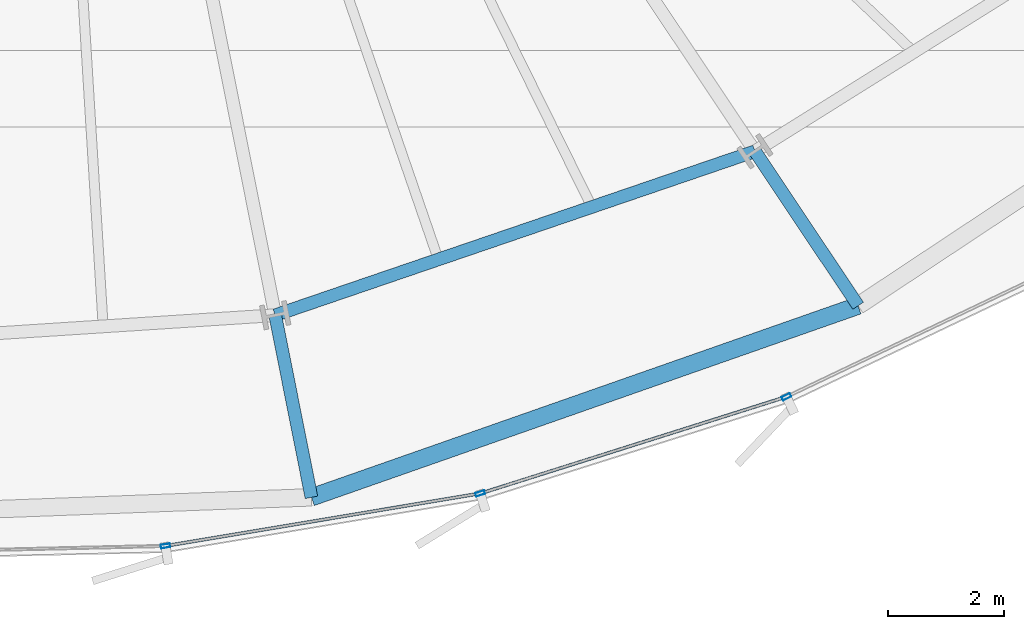
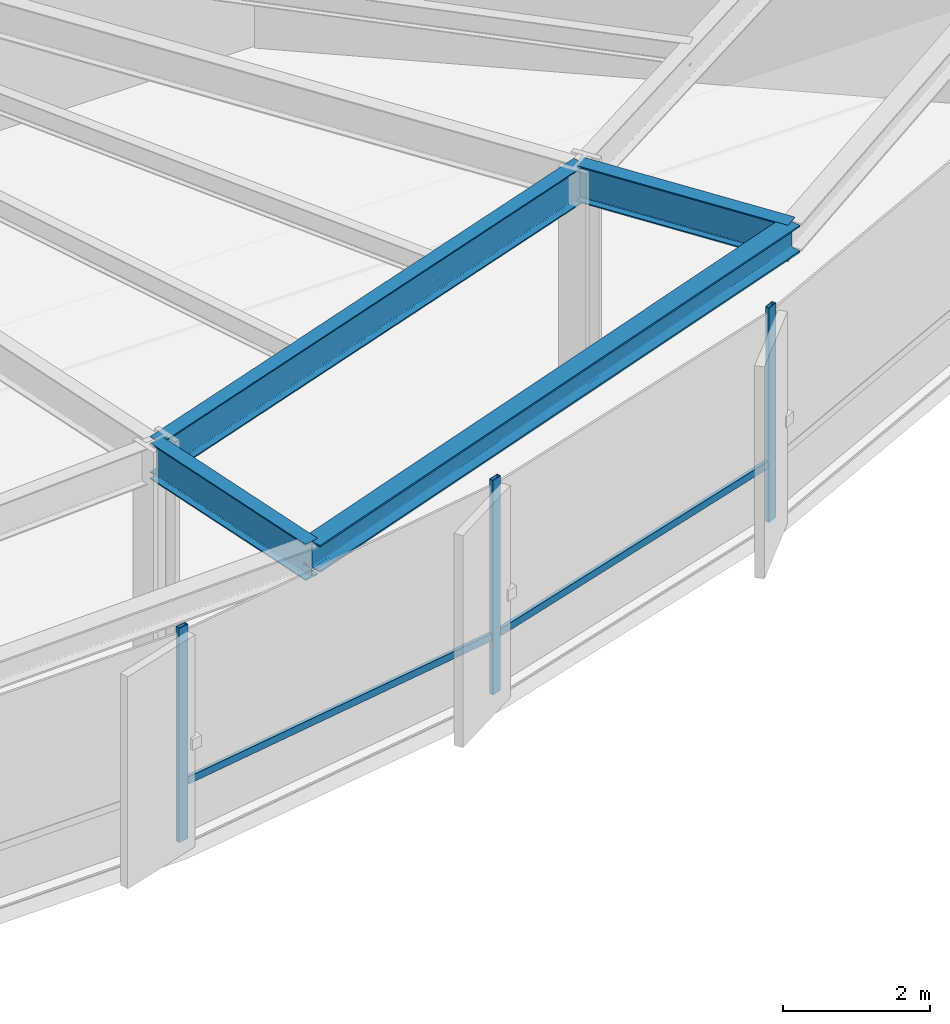
# One storey, part 11 of 38: 5 members, 4 beams, 1 element without a shape of its own.
"""IFC4 building model written with IfcOpenShell, lengths in metres."""

from ifc_helpers import new_model, si_unit, direction, frame, origin, origin_2d, place, context, subcontext, project, spatial, hollow_rectangle, i_section, extrude, source, transform, mapped, material, layer, layer_set, material_profile, profile_set, type_object, element, aggregate, save


model = new_model("IFC4")

# Units and contexts
model_context = context("Model", 3, precision=1e-05, world=origin(), true_north=direction((0.0, 1.0)))
body_context = subcontext(model_context, "Body", "Model", "MODEL_VIEW")
ifc_project = project(units=[si_unit("LENGTHUNIT", "METRE"), si_unit("AREAUNIT", "SQUARE_METRE"), si_unit("VOLUMEUNIT", "CUBIC_METRE"), si_unit("PLANEANGLEUNIT", "RADIAN"), si_unit("MASSUNIT", "GRAM", prefix="KILO"), si_unit("THERMODYNAMICTEMPERATUREUNIT", "KELVIN")], contexts=[model_context])

# Site, building, storey
site_placement = place(None, origin())
site = spatial("IfcSite", under=ifc_project, at=site_placement, CompositionType="ELEMENT")
building_placement = place(site_placement, origin())
building = spatial("IfcBuilding", under=site, at=building_placement, Name="Kethvar Cultural Tower", CompositionType="ELEMENT")
storey_placement = place(building_placement, frame((0.0, 0.0, 52.39990234375)))
storey = spatial("IfcBuildingStorey", under=building, at=storey_placement, Name="L12", CompositionType="ELEMENT", Elevation=52.39990234375)

# Beams
ifc_material_1 = material(Name="Steel S355J2", Category="steel")
ifc_material_profile_1 = material_profile(ifc_material_1, i_section(OverallWidth=0.219970703125, OverallDepth=0.60009765625, WebThickness=0.011962890625, FlangeThickness=0.01904296875, FilletRadius=0.02392578125, at=origin_2d()), Name="Steel S355J2 — IPE600")
ifc_profile_set_1 = profile_set([ifc_material_profile_1], Name="Steel S355J2 — IPE600")
beam_type_1 = type_object("IfcBeamType", Name="BM-IPE600", PredefinedType="BEAM", material=ifc_profile_set_1)
shared_shape_1 = source(origin(), body_context, "Body", "SweptSolid", [
    extrude(i_section(OverallWidth=0.219970703125, OverallDepth=0.60009765625, WebThickness=0.011962890625, FlangeThickness=0.01904296875, FilletRadius=0.02392578125, at=origin_2d()), origin(), (0.0, 0.0, 1.0), 3.199951171875),
])
for number, where, z_axis, x_axis, name in (
    (1, (51.10400390625, 6.16259765625, 3.248046875), (0.195088965533, -0.980785550224, 0.0), (0.980785550224, 0.195088965533, 0.0), "L12 Perimeter Cantilever Beam RC-13"),
    (2, (59.370361328125, 8.987060546875, 3.248046875), (0.555580212716, -0.831462943996, 0.0), (0.831462943996, 0.555580212716, 0.0), "L12 Perimeter Cantilever Beam RC-14"),
):
    element("IfcBeam", number, at=place(storey_placement, frame(where, z_axis=z_axis, x_axis=x_axis)), inside=storey, type_object=beam_type_1, Name=name, PredefinedType="BEAM", context=body_context, shape_type="MappedRepresentation", body=[
        mapped(shared_shape_1, transform((0.0, 0.0, 0.0), scale=1.0)),
    ])
shared_shape_2 = source(origin(), body_context, "Body", "SweptSolid", [
    extrude(i_section(OverallWidth=0.219970703125, OverallDepth=0.60009765625, WebThickness=0.011962890625, FlangeThickness=0.01904296875, FilletRadius=0.02392578125, at=origin_2d()), origin(), (0.0, 0.0, 1.0), 8.735595703125),
])
beam_1_placement = place(storey_placement, frame((51.10400390625, 6.16259765625, 3.248046875), z_axis=(0.946286676119, 0.323328821171, 0.0), x_axis=(-0.323328821171, 0.946286676119, 0.0)))
element("IfcBeam", 3, at=beam_1_placement, inside=storey, type_object=beam_type_1, Name="L12 Column Ring Tie Beam CR-13", PredefinedType="BEAM", context=body_context, shape_type="MappedRepresentation", body=[
    mapped(shared_shape_2, transform((0.0, 0.0, 0.0), scale=1.0)),
])
ifc_material_profile_2 = material_profile(ifc_material_1, i_section(OverallWidth=0.300048828125, OverallDepth=0.449951171875, WebThickness=0.013916015625, FlangeThickness=0.02587890625, FilletRadius=0.027099609375, at=origin_2d()), Name="Steel S355J2 — HEB450")
ifc_profile_set_2 = profile_set([ifc_material_profile_2], Name="Steel S355J2 — HEB450")
beam_type_2 = type_object("IfcBeamType", Name="BM-SP450", PredefinedType="SPANDREL", material=ifc_profile_set_2)
shared_shape_3 = source(origin(), body_context, "Body", "SweptSolid", [
    extrude(i_section(OverallWidth=0.300048828125, OverallDepth=0.449951171875, WebThickness=0.013916015625, FlangeThickness=0.02587890625, FilletRadius=0.027099609375, at=origin_2d()), origin(), (0.0, 0.0, 1.0), 9.98193359375),
])
beam_2_placement = place(storey_placement, frame((51.728271484375, 3.024169921875, 3.322998046875), z_axis=(0.943693514159, 0.330821026138, 0.0), x_axis=(-0.330821026138, 0.943693514159, 0.0)))
element("IfcBeam", 4, at=beam_2_placement, inside=storey, type_object=beam_type_2, Name="L12 Perimeter Spandrel Beam SP-13", PredefinedType="SPANDREL", context=body_context, shape_type="MappedRepresentation", body=[
    mapped(shared_shape_3, transform((0.0, 0.0, 0.0), scale=1.0)),
])

# Curtain wall, members
ifc_material_2 = material(Name="Aluminium 6063-T6", Category="aluminium")
ifc_layer = layer(ifc_material_2, 0.179931640625, Name="Aluminium 6063-T6", Category="aluminium")
ifc_layer_set = layer_set([ifc_layer], Name="Aluminium 6063-T6 (180 mm)")
curtain_wall_type = type_object("IfcCurtainWallType", Name="CW-SYS-02-Z1", PredefinedType="NOTDEFINED", material=ifc_layer_set)
curtain_wall_placement = place(storey_placement, origin())
curtain_wall = element("IfcCurtainWall", 5, at=curtain_wall_placement, inside=storey, type_object=curtain_wall_type, Name="L12 Curtain Wall Run 05", PredefinedType="NOTDEFINED")
ifc_material_profile_3 = material_profile(ifc_material_2, hollow_rectangle(XDim=0.06494140625, YDim=0.159912109375, WallThickness=0.0048828125, at=origin_2d()), Name="Aluminium 6063-T6 — RHS160x65x5")
ifc_profile_set_3 = profile_set([ifc_material_profile_3], Name="Aluminium 6063-T6 — RHS160x65x5")
member_type_1 = type_object("IfcMemberType", Name="CW-SYS-02-Z1-MUL", PredefinedType="MULLION", material=ifc_profile_set_3)
shared_shape_4 = source(origin(), body_context, "Body", "SweptSolid", [
    extrude(hollow_rectangle(XDim=0.06494140625, YDim=0.159912109375, WallThickness=0.0048828125, at=origin_2d()), origin(), (0.0, 0.0, 1.0), 3.550048828125),
])
member_1_placement = place(storey_placement, frame((49.212646484375, 2.185791015625, 0.0), z_axis=(0.0, 0.0, 1.0), x_axis=(-0.164754961771, 0.986334528733, 0.0)))
member_1 = element("IfcMember", 6, at=member_1_placement, type_object=member_type_1, Name="CW-L12-R05 Mullion 4", PredefinedType="MULLION", context=body_context, shape_type="MappedRepresentation", body=[
    mapped(shared_shape_4, transform((0.0, 0.0, 0.0), scale=1.0)),
])
member_2_placement = place(storey_placement, frame((54.636474609375, 3.09033203125, 0.0), z_axis=(0.0, 0.0, 1.0), x_axis=(-0.301188480493, 0.953564627709, 0.0)))
member_2 = element("IfcMember", 7, at=member_2_placement, type_object=member_type_1, Name="CW-L12-R05 Mullion 5", PredefinedType="MULLION", context=body_context, shape_type="MappedRepresentation", body=[
    mapped(shared_shape_4, transform((0.0, 0.0, 0.0), scale=1.0)),
])
member_3_placement = place(storey_placement, frame((59.9130859375, 4.755859375, 0.0), z_axis=(0.0, 0.0, 1.0), x_axis=(-0.430211764528, 0.902727997606, 0.0)))
member_3 = element("IfcMember", 8, at=member_3_placement, type_object=member_type_1, Name="CW-L12-R05 Mullion 6", PredefinedType="MULLION", context=body_context, shape_type="MappedRepresentation", body=[
    mapped(shared_shape_4, transform((0.0, 0.0, 0.0), scale=1.0)),
])
ifc_material_profile_4 = material_profile(ifc_material_2, hollow_rectangle(XDim=0.054931640625, YDim=0.1201171875, WallThickness=0.00390625, at=origin_2d()), Name="Aluminium 6063-T6 — RHS120x55x4")
ifc_profile_set_4 = profile_set([ifc_material_profile_4], Name="Aluminium 6063-T6 — RHS120x55x4")
member_type_2 = type_object("IfcMemberType", Name="CW-SYS-02-Z1-TRN", PredefinedType="USERDEFINED", material=ifc_profile_set_4)
shared_shape_5 = source(origin(), body_context, "Body", "SweptSolid", [
    extrude(hollow_rectangle(XDim=0.054931640625, YDim=0.1201171875, WallThickness=0.00390625, at=origin_2d()), origin(), (0.0, 0.0, 1.0), 5.456298828125),
])
member_4_placement = place(storey_placement, frame((54.68115234375, 3.1044921875, 0.9501953125), z_axis=(0.95356711008, 0.301180621179, 0.0), x_axis=(-0.301180621179, 0.95356711008, 0.0)))
member_4 = element("IfcMember", 9, at=member_4_placement, type_object=member_type_2, Name="CW-L12-R05 Transom 5", ObjectType="TRANSOM", PredefinedType="USERDEFINED", context=body_context, shape_type="MappedRepresentation", body=[
    mapped(shared_shape_5, transform((0.0, 0.0, 0.0), scale=1.0)),
])
shared_shape_6 = source(origin(), body_context, "Body", "SweptSolid", [
    extrude(hollow_rectangle(XDim=0.054931640625, YDim=0.1201171875, WallThickness=0.00390625, at=origin_2d()), origin(), (0.0, 0.0, 1.0), 5.421875),
])
member_5_placement = place(storey_placement, frame((49.2587890625, 2.193359375, 0.9501953125), z_axis=(0.986334227516, 0.164756765053, 0.0), x_axis=(-0.164756765053, 0.986334227516, 0.0)))
member_5 = element("IfcMember", 10, at=member_5_placement, type_object=member_type_2, Name="CW-L12-R05 Transom 4", ObjectType="TRANSOM", PredefinedType="USERDEFINED", context=body_context, shape_type="MappedRepresentation", body=[
    mapped(shared_shape_6, transform((0.0, 0.0, 0.0), scale=1.0)),
])
aggregate(curtain_wall, [member_1, member_2, member_3, member_5, member_4])

save(model, "model.ifc")
